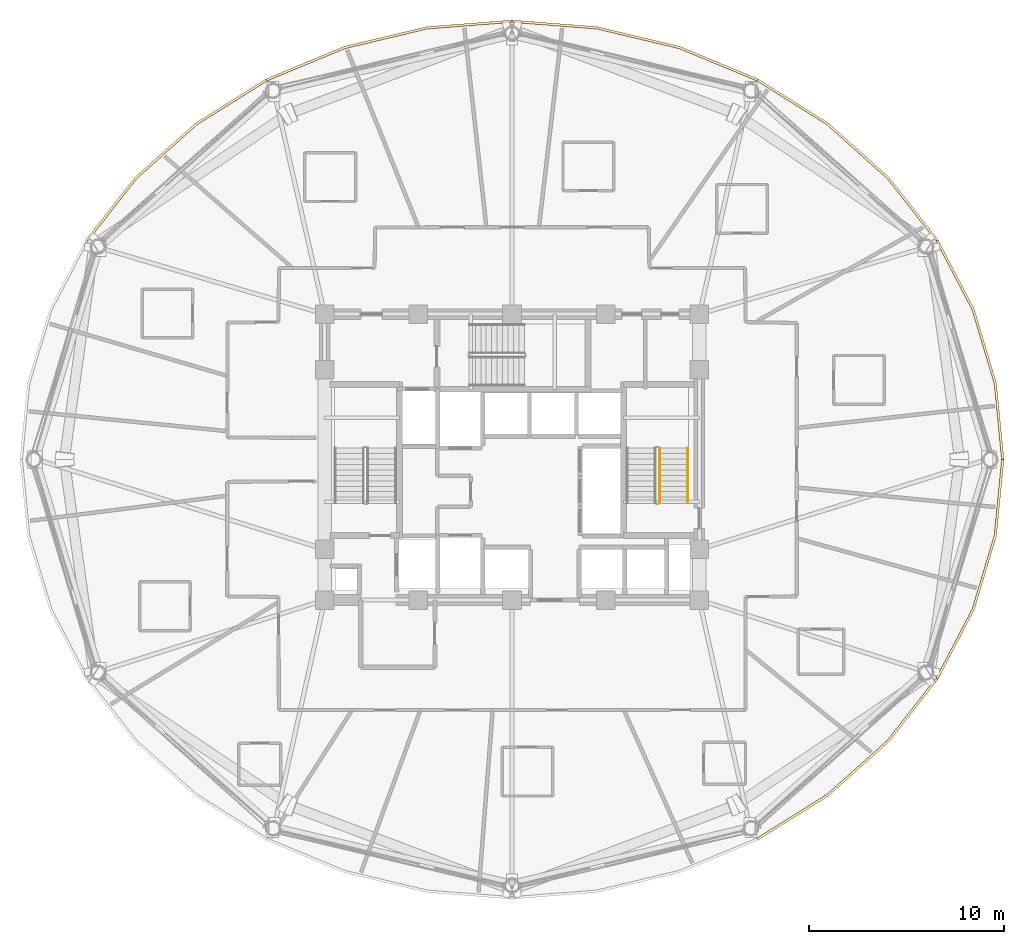
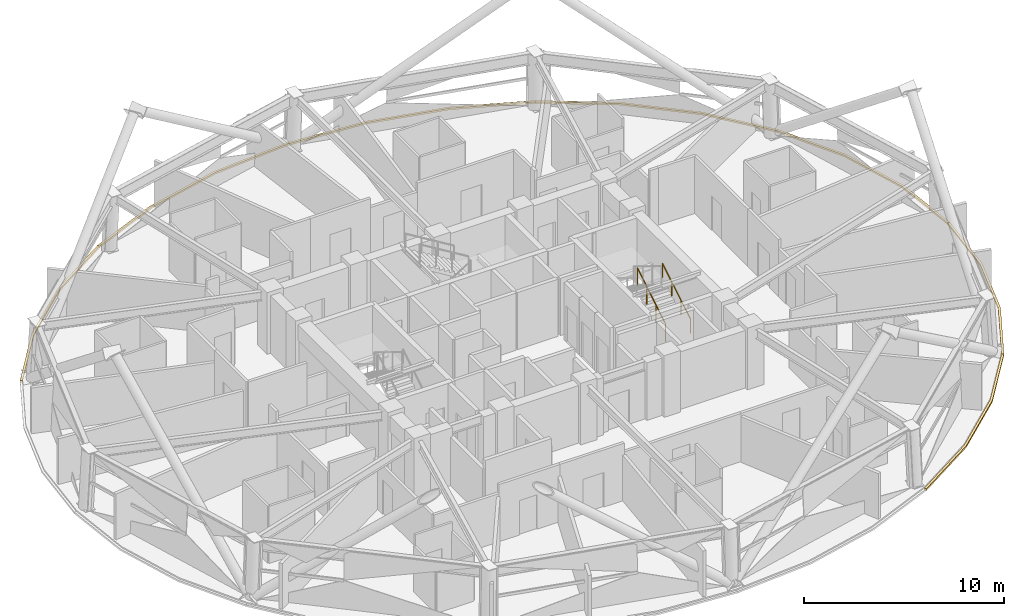
# One storey, part 13 of 13: 7 coverings, 2 railings.
"""IFC4 building model written with IfcOpenShell, lengths in metres."""

from ifc_helpers import new_model, si_unit, direction, frame, origin, origin_2d, place, context, subcontext, project, spatial, polyline, rectangle, outline, extrude, material, layer, layer_set, type_object, element, save


model = new_model("IFC4")

# Units and contexts
model_context = context("Model", 3, precision=1e-05, world=origin(), true_north=direction((0.0, 1.0)))
body_context = subcontext(model_context, "Body", "Model", "MODEL_VIEW")
ifc_project = project(units=[si_unit("LENGTHUNIT", "METRE"), si_unit("AREAUNIT", "SQUARE_METRE"), si_unit("VOLUMEUNIT", "CUBIC_METRE"), si_unit("PLANEANGLEUNIT", "RADIAN"), si_unit("MASSUNIT", "GRAM", prefix="KILO")], contexts=[model_context])

# Site, building, storey
site_placement = place(None, origin())
site = spatial("IfcSite", under=ifc_project, at=site_placement, CompositionType="ELEMENT")
building_placement = place(site_placement, origin())
building = spatial("IfcBuilding", under=site, at=building_placement, Name="Vantalir Tower", CompositionType="ELEMENT")
storey_placement = place(building_placement, frame((0.0, 0.0, 172.199951171875)))
storey = spatial("IfcBuildingStorey", under=building, at=storey_placement, Name="L43", CompositionType="ELEMENT", Elevation=172.199951171875)

# Coverings
ifc_material_1 = material(Name="Anodised champagne aluminium sill fascia", Category="aluminium")
ifc_layer = layer(ifc_material_1, 0.125)
ifc_layer_set = layer_set([ifc_layer], Name="Anodised champagne aluminium sill fascia")
covering_type = type_object("IfcCoveringType", Name="COV-SLAB-FASCIA-125", PredefinedType="CLADDING", material=ifc_layer_set)
covering_1_placement = place(storey_placement, frame((0.0, 0.0, -0.179931640625)))
element("IfcCovering", 1, at=covering_1_placement, inside=storey, type_object=covering_type, Name="L43 Perimeter Slab-Edge Sill Fascia 01", PredefinedType="CLADDING", context=body_context, shape_type="SweptSolid", body=[
    extrude(outline(polyline([(56.7109375, 25.0), (56.327880859375, 28.910888671875), (55.19091796875, 32.702880859375), (53.3330078125, 36.260986328125), (53.22509765625, 36.198974609375), (55.072998046875, 32.660888671875), (56.205078125, 28.888916015625), (56.5859375, 25.0), (56.7109375, 25.0)])), origin(), (0.0, 0.0, 1.0), 0.10498046875),
])
covering_2_placement = place(storey_placement, frame((0.0, 0.0, -0.179931640625)))
element("IfcCovering", 2, at=covering_2_placement, inside=storey, type_object=covering_type, Name="L43 Perimeter Slab-Edge Sill Fascia 02", PredefinedType="CLADDING", context=body_context, shape_type="SweptSolid", body=[
    extrude(outline(polyline([(53.3330078125, 36.260986328125), (50.81298828125, 39.47802734375), (47.705078125, 42.25390625), (44.10595703125, 44.5048828125), (44.04296875, 44.39697265625), (47.625, 42.157958984375), (50.717041015625, 39.39697265625), (53.22509765625, 36.198974609375), (53.3330078125, 36.260986328125)])), origin(), (0.0, 0.0, 1.0), 0.10498046875),
])
covering_3_placement = place(storey_placement, frame((0.0, 0.0, -0.179931640625)))
element("IfcCovering", 3, at=covering_3_placement, inside=storey, type_object=covering_type, Name="L43 Perimeter Slab-Edge Sill Fascia 03", PredefinedType="CLADDING", context=body_context, shape_type="SweptSolid", body=[
    extrude(outline(polyline([(44.10595703125, 44.5048828125), (40.123046875, 46.1650390625), (35.8779296875, 47.180908203125), (31.5, 47.52294921875), (31.5, 47.39794921875), (35.85595703125, 47.05810546875), (40.080078125, 46.047119140625), (44.04296875, 44.39697265625), (44.10595703125, 44.5048828125)])), origin(), (0.0, 0.0, 1.0), 0.10498046875),
])
covering_4_placement = place(storey_placement, frame((0.0, 0.0, -0.179931640625)))
element("IfcCovering", 4, at=covering_4_placement, inside=storey, type_object=covering_type, Name="L43 Perimeter Slab-Edge Sill Fascia 04", PredefinedType="CLADDING", context=body_context, shape_type="SweptSolid", body=[
    extrude(outline(polyline([(31.5, 47.52294921875), (27.1220703125, 47.180908203125), (22.876953125, 46.1650390625), (18.89501953125, 44.5048828125), (18.95703125, 44.39697265625), (22.919921875, 46.047119140625), (27.14404296875, 47.05810546875), (31.5, 47.39794921875), (31.5, 47.52294921875)])), origin(), (0.0, 0.0, 1.0), 0.10498046875),
])
covering_5_placement = place(storey_placement, frame((0.0, 0.0, -0.179931640625)))
element("IfcCovering", 5, at=covering_5_placement, inside=storey, type_object=covering_type, Name="L43 Perimeter Slab-Edge Sill Fascia 05", PredefinedType="CLADDING", context=body_context, shape_type="SweptSolid", body=[
    extrude(outline(polyline([(18.89501953125, 44.5048828125), (15.294921875, 42.25390625), (12.18701171875, 39.47802734375), (9.6669921875, 36.260986328125), (9.77490234375, 36.198974609375), (12.282958984375, 39.39697265625), (15.375, 42.157958984375), (18.95703125, 44.39697265625), (18.89501953125, 44.5048828125)])), origin(), (0.0, 0.0, 1.0), 0.10498046875),
])
covering_6_placement = place(storey_placement, frame((0.0, 0.0, -0.179931640625)))
element("IfcCovering", 6, at=covering_6_placement, inside=storey, type_object=covering_type, Name="L43 Perimeter Slab-Edge Sill Fascia 11", PredefinedType="CLADDING", context=body_context, shape_type="SweptSolid", body=[
    extrude(outline(polyline([(44.10595703125, 5.4951171875), (47.705078125, 7.74609375), (50.81298828125, 10.52197265625), (53.3330078125, 13.738037109375), (53.22509765625, 13.801025390625), (50.717041015625, 10.60302734375), (47.625, 7.842041015625), (44.04296875, 5.60302734375), (44.10595703125, 5.4951171875)])), origin(), (0.0, 0.0, 1.0), 0.10498046875),
])
covering_7_placement = place(storey_placement, frame((0.0, 0.0, -0.179931640625)))
element("IfcCovering", 7, at=covering_7_placement, inside=storey, type_object=covering_type, Name="L43 Perimeter Slab-Edge Sill Fascia 12", PredefinedType="CLADDING", context=body_context, shape_type="SweptSolid", body=[
    extrude(outline(polyline([(53.3330078125, 13.738037109375), (55.19091796875, 17.297119140625), (56.327880859375, 21.089111328125), (56.7109375, 25.0), (56.5859375, 25.0), (56.205078125, 21.111083984375), (55.072998046875, 17.339111328125), (53.22509765625, 13.801025390625), (53.3330078125, 13.738037109375)])), origin(), (0.0, 0.0, 1.0), 0.10498046875),
])

# Railings
ifc_material_2 = material(Name="Anodised aluminium and stainless steel guard", Category="steel")
railing_type_1 = type_object("IfcRailingType", Name="RAL-GUARD-1120", PredefinedType="GUARDRAIL", material=ifc_material_2)
railing_1_placement = place(storey_placement, frame((39.06005859375, 22.7900390625, 0.17041015625)))
element("IfcRailing", 8, at=railing_1_placement, inside=storey, type_object=railing_type_1, Name="L43 ST2 stair guard 1", PredefinedType="GUARDRAIL", context=body_context, shape_type="SweptSolid", body=[
    extrude(rectangle(XDim=0.048095703125, YDim=0.048095703125, at=origin_2d()), frame((0.0, 0.0, 1.09619140625), z_axis=(0.0, 0.854169791009, 0.51999420009), x_axis=(-1.0, 0.0, 0.0)), (0.0, 0.0, 1.0), 3.278076171875),
    extrude(rectangle(XDim=0.0419921875, YDim=0.0419921875, at=origin_2d()), origin(), (0.0, 0.0, 1.0), 1.072021484375),
    extrude(rectangle(XDim=0.0419921875, YDim=0.0419921875, at=origin_2d()), frame((0.0, 0.933349609375, 0.568115234375)), (0.0, 0.0, 1.0), 1.072021484375),
    extrude(rectangle(XDim=0.0419921875, YDim=0.0419921875, at=origin_2d()), frame((0.0, 1.86669921875, 1.136474609375)), (0.0, 0.0, 1.0), 1.072021484375),
    extrude(rectangle(XDim=0.0419921875, YDim=0.0419921875, at=origin_2d()), frame((0.0, 2.800048828125, 1.70458984375)), (0.0, 0.0, 1.0), 1.072021484375),
])
ifc_material_3 = material(Name="Brushed stainless steel tubular handrail", Category="steel")
railing_type_2 = type_object("IfcRailingType", Name="RAL-HANDRAIL-900", PredefinedType="HANDRAIL", material=ifc_material_3)
railing_2_placement = place(storey_placement, frame((40.5, 22.7900390625, 0.17041015625)))
element("IfcRailing", 9, at=railing_2_placement, inside=storey, type_object=railing_type_2, Name="L43 ST2 stair handrail 1", PredefinedType="HANDRAIL", context=body_context, shape_type="SweptSolid", body=[
    extrude(rectangle(XDim=0.048095703125, YDim=0.048095703125, at=origin_2d()), frame((0.0, 0.0, 0.8759765625), z_axis=(0.0, 0.854169791009, 0.51999420009), x_axis=(-1.0, 0.0, 0.0)), (0.0, 0.0, 1.0), 3.278076171875),
    extrude(rectangle(XDim=0.0419921875, YDim=0.0419921875, at=origin_2d()), origin(), (0.0, 0.0, 1.0), 0.851806640625),
    extrude(rectangle(XDim=0.0419921875, YDim=0.0419921875, at=origin_2d()), frame((0.0, 0.933349609375, 0.568115234375)), (0.0, 0.0, 1.0), 0.851806640625),
    extrude(rectangle(XDim=0.0419921875, YDim=0.0419921875, at=origin_2d()), frame((0.0, 1.86669921875, 1.136474609375)), (0.0, 0.0, 1.0), 0.851806640625),
    extrude(rectangle(XDim=0.0419921875, YDim=0.0419921875, at=origin_2d()), frame((0.0, 2.800048828125, 1.70458984375)), (0.0, 0.0, 1.0), 0.851806640625),
])

save(model, "model.ifc")
